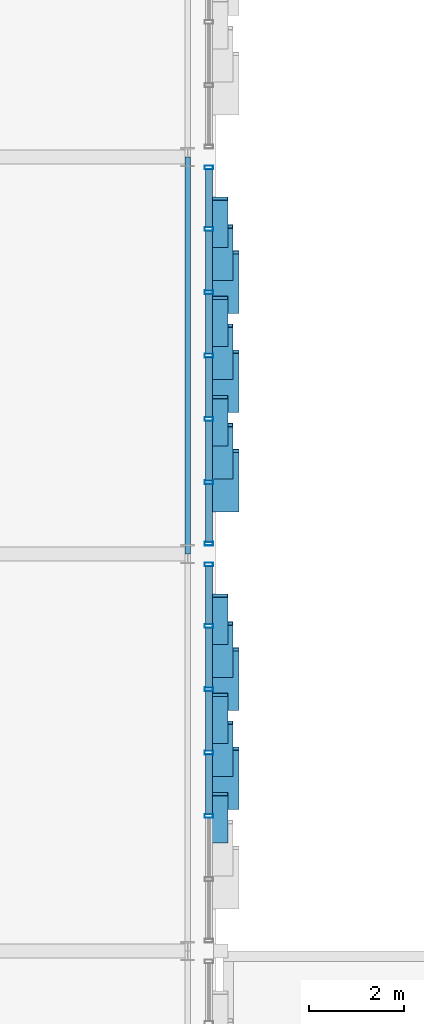
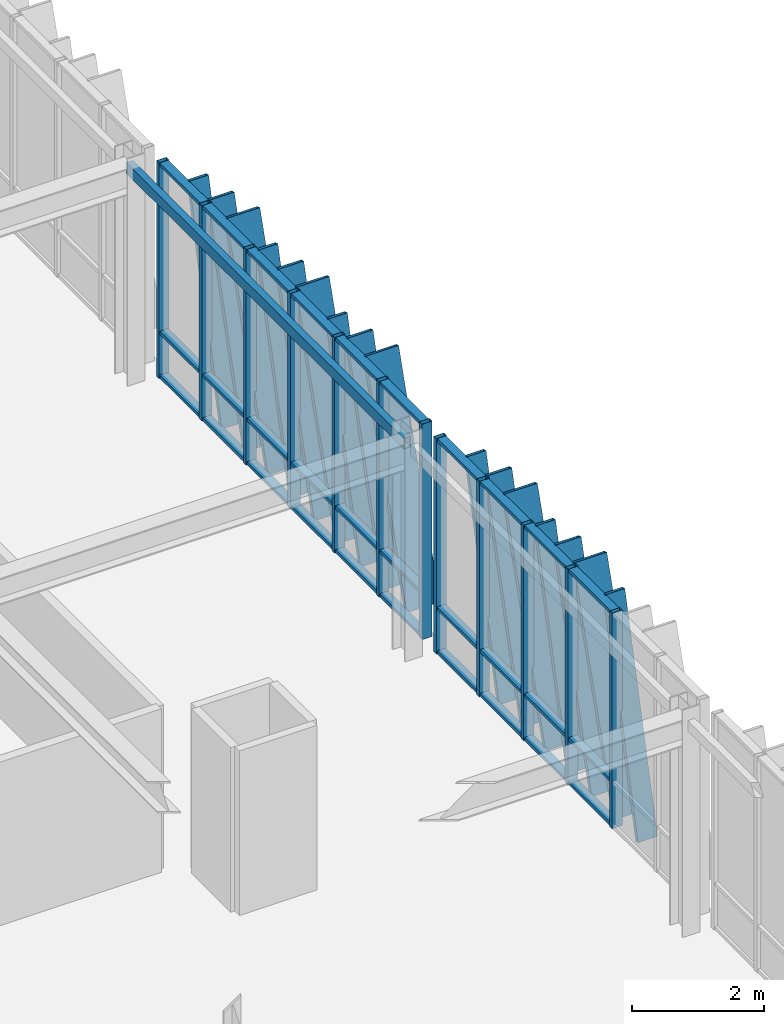
# One storey, part 55 of 123: 58 members, 1 beam, 2 elements without a shape of their own.
"""IFC4 building model written with IfcOpenShell, lengths in metres."""

import ifcopenshell
import ifcopenshell.guid

model = None  # the IFC model being written
_history = None  # IfcOwnerHistory: only IFC2X3 demands one
_inside = {}  # id of a spatial element -> (the spatial element, [elements in it])
_under = {}  # id of a project, library or spatial element -> (it, [spatial elements below it])
_declared = {}  # id of a project -> (the project, [libraries it declares])
_typed = {}  # id of a type object -> (the type object, [elements of that type])
_made_of = {}  # id of a material, layer set ... -> (it, [elements and type objects made of it])


def new_model(schema):
    """Start an empty IFC model of exactly this schema.

    Asked for "IFC4X3", IfcOpenShell would pick the latest addendum, in which some entities
    have other attributes; the version numbers below select the first issue.
    IFC2X3 requires an IfcOwnerHistory on every rooted entity: one is made here for all.
    """
    global model, _history
    if schema == "IFC4X3":
        model = ifcopenshell.file(schema_version=(4, 3, 0, 0))
    else:
        model = ifcopenshell.file(schema=schema)
    _inside.clear()
    _under.clear()
    _declared.clear()
    _typed.clear()
    _made_of.clear()
    _history = None
    if model.schema == "IFC2X3":
        org = make("IfcOrganization", Name="unknown")
        user = make(
            "IfcPersonAndOrganization",
            ThePerson=make("IfcPerson", FamilyName="unknown"),
            TheOrganization=org,
        )
        app = make(
            "IfcApplication",
            ApplicationDeveloper=org,
            Version="unknown",
            ApplicationFullName="unknown",
            ApplicationIdentifier="unknown",
        )
        _history = make(
            "IfcOwnerHistory",
            OwningUser=user,
            OwningApplication=app,
            ChangeAction="ADDED",
            CreationDate=0,
        )
    return model


def make(cls, **values):
    """One entity of the class cls with the attributes given. An attribute that is None is left unset."""
    return model.create_entity(
        cls, **{name: value for name, value in values.items() if value is not None}
    )


def rooted(cls, **values):
    """An entity with a GlobalId (a new one), such as an element, a storey or a relation."""
    return make(cls, GlobalId=ifcopenshell.guid.new(), OwnerHistory=_history, **values)


def si_unit(unit_type, name, prefix=None):
    """IfcSIUnit, for example si_unit("LENGTHUNIT", "METRE", prefix="MILLI")."""
    return make("IfcSIUnit", UnitType=unit_type, Prefix=prefix, Name=name)


def assignment(units):
    """IfcUnitAssignment: the units of a project."""
    return None if units is None else make("IfcUnitAssignment", Units=units)


def point(xyz):
    """IfcCartesianPoint."""
    return None if xyz is None else make("IfcCartesianPoint", Coordinates=xyz)


def direction(xyz):
    """IfcDirection."""
    return None if xyz is None else make("IfcDirection", DirectionRatios=xyz)


def frame(location, z_axis=None, x_axis=None):
    """IfcAxis2Placement3D, a coordinate frame: its origin and axes. An axis left out is left unset."""
    return make(
        "IfcAxis2Placement3D",
        Location=point(location),
        Axis=direction(z_axis),
        RefDirection=direction(x_axis),
    )


def frame_2d(location, x_axis=None):
    """IfcAxis2Placement2D, a coordinate frame in the plane: its origin and x axis."""
    return make(
        "IfcAxis2Placement2D", Location=point(location), RefDirection=direction(x_axis)
    )


def origin():
    """The frame at (0, 0, 0) with its axes left unset."""
    return frame((0.0, 0.0, 0.0))


def origin_2d():
    """The frame at (0, 0) in the plane with its x axis left unset."""
    return frame_2d((0.0, 0.0))


def place(relative_to, where):
    """IfcLocalPlacement: puts the frame where relative to a parent placement (None: the world)."""
    return make(
        "IfcLocalPlacement", PlacementRelTo=relative_to, RelativePlacement=where
    )


def context(
    kind, dimensions, precision=None, world=None, true_north=None, identifier=None
):
    """IfcGeometricRepresentationContext, for example the 3D "Model" context."""
    return make(
        "IfcGeometricRepresentationContext",
        ContextIdentifier=identifier,
        ContextType=kind,
        CoordinateSpaceDimension=dimensions,
        Precision=precision,
        WorldCoordinateSystem=world,
        TrueNorth=true_north,
    )


def subcontext(parent, identifier, kind, view, scale=None):
    """IfcGeometricRepresentationSubContext, for example "Body" below "Model"."""
    return make(
        "IfcGeometricRepresentationSubContext",
        ContextIdentifier=identifier,
        ContextType=kind,
        ParentContext=parent,
        TargetScale=scale,
        TargetView=view,
    )


def project(units=None, contexts=None):
    """IfcProject with its units and contexts."""
    return rooted(
        "IfcProject",
        Name="project",
        RepresentationContexts=contexts,
        UnitsInContext=assignment(units),
    )


def spatial(cls, under=None, at=None, **own):
    """A site, building, storey or space (cls), placed at a placement, below another one or the project."""
    s = rooted(cls, ObjectPlacement=at, **own)
    if under is not None:
        _under.setdefault(under.id(), (under, []))[1].append(s)
    return s


def profile(cls, at=None, kind="AREA", **sizes):
    """A parametric profile (cls). Its sizes go by their IFC names, for example OverallWidth=200.0."""
    return make(cls, ProfileType=kind, Position=at, **sizes)


def hollow_rectangle(**sizes):
    """IfcRectangleHollowProfileDef."""
    return profile("IfcRectangleHollowProfileDef", **sizes)


def extrude(swept, where, along, depth):
    """IfcExtrudedAreaSolid: the profile swept, set in the frame where, extruded along a direction by depth."""
    return make(
        "IfcExtrudedAreaSolid",
        SweptArea=swept,
        Position=where,
        ExtrudedDirection=direction(along),
        Depth=depth,
    )


def shape(context_of_items, identifier, shape_type, items):
    """IfcShapeRepresentation: the items that make up one representation, for example the "Body"."""
    return make(
        "IfcShapeRepresentation",
        ContextOfItems=context_of_items,
        RepresentationIdentifier=identifier,
        RepresentationType=shape_type,
        Items=items,
    )


def material(Name=None, Category=None):
    """IfcMaterial."""
    return make("IfcMaterial", Name=Name, Category=Category)


def layer(
    of_material, thickness, ventilated=None, Name=None, Category=None, Priority=None
):
    """IfcMaterialLayer: one layer of a wall or slab, of a material (None: an air gap)."""
    return make(
        "IfcMaterialLayer",
        Material=of_material,
        LayerThickness=thickness,
        IsVentilated=ventilated,
        Name=Name,
        Category=Category,
        Priority=Priority,
    )


def layer_set(layers, Name=None):
    """IfcMaterialLayerSet."""
    return make("IfcMaterialLayerSet", MaterialLayers=layers, LayerSetName=Name)


def material_profile(
    of_material, cross_section, Name=None, Category=None, Priority=None
):
    """IfcMaterialProfile: a cross section and its material."""
    return make(
        "IfcMaterialProfile",
        Name=Name,
        Material=of_material,
        Profile=cross_section,
        Priority=Priority,
        Category=Category,
    )


def profile_set(profiles, Name=None, composite=None):
    """IfcMaterialProfileSet."""
    return make(
        "IfcMaterialProfileSet",
        Name=Name,
        MaterialProfiles=profiles,
        CompositeProfile=composite,
    )


def made_of(thing, what):
    """Note that an element or type object is made of a material, layer set ...; save() writes the relation."""
    if what is not None:
        _made_of.setdefault(what.id(), (what, []))[1].append(thing)
    return thing


def type_object(cls, material=None, **own):
    """A type object (cls), such as IfcWallType, which elements share."""
    return made_of(rooted(cls, **own), material)


def element(
    cls,
    number,
    at=None,
    inside=None,
    cuts=None,
    type_object=None,
    material=None,
    context=None,
    identifier="Body",
    shape_type=None,
    held_by="IfcProductDefinitionShape",
    body=None,
    shapes=None,
    **own,
):
    """One element of the class cls, such as IfcWall. Its Tag is "e" and its number.

    at: its placement. inside: the storey or other place that contains it. cuts: it is an
    opening in that element (IfcRelVoidsElement). A single representation is given by context,
    identifier, shape_type and body (its items); several are given by shapes. held_by: the class
    of the entity that holds the representations. save() writes the other relations.
    """
    e = rooted(cls, Tag="e%d" % number, ObjectPlacement=at, **own)
    if body is not None:
        shapes = [shape(context, identifier, shape_type, body)]
    if shapes is not None:
        e.Representation = make(held_by, Representations=shapes)
    if inside is not None:
        _inside.setdefault(inside.id(), (inside, []))[1].append(e)
    if cuts is not None:
        rooted(
            "IfcRelVoidsElement", RelatingBuildingElement=cuts, RelatedOpeningElement=e
        )
    if type_object is not None:
        _typed.setdefault(type_object.id(), (type_object, []))[1].append(e)
    return made_of(e, material)


def aggregate(whole, parts):
    """IfcRelAggregates: a whole, such as a stair, and the parts it consists of."""
    return rooted("IfcRelAggregates", RelatingObject=whole, RelatedObjects=parts)


def save(model, path):
    """Write the relations noted so far, then the file.

    IfcRelAggregates (storeys below a building ...), IfcRelContainedInSpatialStructure (elements
    in a storey), IfcRelDefinesByType, IfcRelAssociatesMaterial and IfcRelDeclares: one each for
    every whole, place, type object, material and project.
    """
    for whole, parts in _under.values():
        aggregate(whole, parts)
    for where, things in _inside.values():
        rooted(
            "IfcRelContainedInSpatialStructure",
            RelatedElements=things,
            RelatingStructure=where,
        )
    for kind, things in _typed.values():
        rooted("IfcRelDefinesByType", RelatedObjects=things, RelatingType=kind)
    for what, things in _made_of.values():
        rooted("IfcRelAssociatesMaterial", RelatedObjects=things, RelatingMaterial=what)
    for by, libraries in _declared.values():
        rooted("IfcRelDeclares", RelatingContext=by, RelatedDefinitions=libraries)
    model.write(path)


model = new_model("IFC4")

# Units and contexts
model_context = context("Model", 3, precision=1e-05, world=origin(), true_north=direction((0.0, 1.0)))
body_context = subcontext(model_context, "Body", "Model", "MODEL_VIEW")
ifc_project = project(units=[si_unit("LENGTHUNIT", "METRE"), si_unit("AREAUNIT", "SQUARE_METRE"), si_unit("VOLUMEUNIT", "CUBIC_METRE"), si_unit("PLANEANGLEUNIT", "RADIAN"), si_unit("MASSUNIT", "GRAM", prefix="KILO")], contexts=[model_context])

# Site, building, storey
site_placement = place(None, origin())
site = spatial("IfcSite", under=ifc_project, at=site_placement, CompositionType="ELEMENT")
building_placement = place(site_placement, origin())
building = spatial("IfcBuilding", under=site, at=building_placement, Name="Zayran Congress Hotel", CompositionType="ELEMENT")
storey_placement = place(building_placement, frame((0.0, 0.0, 15.0)))
storey = spatial("IfcBuildingStorey", under=building, at=storey_placement, Name="L03", CompositionType="ELEMENT", Elevation=15.0)

# Beam
ifc_material_1 = material(Name="Steel S355", Category="steel")
ifc_material_profile_1 = material_profile(ifc_material_1, hollow_rectangle(XDim=0.1201171875, YDim=0.199951171875, WallThickness=0.008056640625, at=origin_2d()), Name="RHS 200x120x8")
ifc_profile_set_1 = profile_set([ifc_material_profile_1], Name="Steel S355")
beam_type = type_object("IfcBeamType", Name="TP-SP-02", PredefinedType="SPANDREL", material=ifc_profile_set_1)
beam_placement = place(storey_placement, frame((91.800048828125, 92.800048828125, 3.8798828125), z_axis=(0.0, 1.0, 0.0), x_axis=(-1.0, 0.0, 0.0)))
element("IfcBeam", 1, at=beam_placement, inside=storey, type_object=beam_type, Name="BM-V1-L03-0893", PredefinedType="SPANDREL", context=body_context, shape_type="SweptSolid", body=[
    extrude(hollow_rectangle(XDim=0.1201171875, YDim=0.199951171875, WallThickness=0.008056640625, at=origin_2d()), origin(), (0.0, 0.0, 1.0), 8.39990234375),
])

# Curtain wall, members
ifc_material_2 = material(Name="Anodised aluminium and low-E insulated glass", Category="aluminium")
ifc_layer_1 = layer(ifc_material_2, 0.179931640625)
ifc_layer_set_1 = layer_set([ifc_layer_1], Name="Anodised aluminium and low-E insulated glass")
curtain_wall_type_1 = type_object("IfcCurtainWallType", Name="CW-V1E-L03-CW-41-8040-3980", PredefinedType="USERDEFINED", material=ifc_layer_set_1)
curtain_wall_1_placement = place(storey_placement, origin())
curtain_wall_1 = element("IfcCurtainWall", 2, at=curtain_wall_1_placement, inside=storey, type_object=curtain_wall_type_1, Name="CW-V1E-L03-2", ObjectType="CURTAIN WALL", PredefinedType="USERDEFINED")
ifc_material_3 = material(Name="Anodised aluminium framing", Category="aluminium")
ifc_material_profile_2 = material_profile(ifc_material_3, hollow_rectangle(XDim=0.080078125, YDim=0.179931640625, WallThickness=0.0048828125, at=origin_2d()), Name="RHS 180x80x5")
ifc_profile_set_2 = profile_set([ifc_material_profile_2], Name="Anodised aluminium framing")
member_type_1 = type_object("IfcMemberType", Name="TP-CWM-01", PredefinedType="MULLION", material=ifc_profile_set_2)
member_1_placement = place(storey_placement, frame((92.25, 87.260009765625, 0.0), z_axis=(0.0, 0.0, 1.0), x_axis=(0.0, 1.0, 0.0)))
member_1 = element("IfcMember", 3, at=member_1_placement, type_object=member_type_1, Name="CW-V1E-L03-2-M02", PredefinedType="MULLION", context=body_context, shape_type="SweptSolid", body=[
    extrude(hollow_rectangle(XDim=0.080078125, YDim=0.179931640625, WallThickness=0.0048828125, at=origin_2d()), origin(), (0.0, 0.0, 1.0), 3.97998046875),
])
member_2_placement = place(storey_placement, frame((92.25, 88.60009765625, 0.0), z_axis=(0.0, 0.0, 1.0), x_axis=(0.0, 1.0, 0.0)))
member_2 = element("IfcMember", 4, at=member_2_placement, type_object=member_type_1, Name="CW-V1E-L03-2-M03", PredefinedType="MULLION", context=body_context, shape_type="SweptSolid", body=[
    extrude(hollow_rectangle(XDim=0.080078125, YDim=0.179931640625, WallThickness=0.0048828125, at=origin_2d()), origin(), (0.0, 0.0, 1.0), 3.97998046875),
])
member_3_placement = place(storey_placement, frame((92.25, 89.93994140625, 0.0), z_axis=(0.0, 0.0, 1.0), x_axis=(0.0, 1.0, 0.0)))
member_3 = element("IfcMember", 5, at=member_3_placement, type_object=member_type_1, Name="CW-V1E-L03-2-M04", PredefinedType="MULLION", context=body_context, shape_type="SweptSolid", body=[
    extrude(hollow_rectangle(XDim=0.080078125, YDim=0.179931640625, WallThickness=0.0048828125, at=origin_2d()), origin(), (0.0, 0.0, 1.0), 3.97998046875),
])
member_4_placement = place(storey_placement, frame((92.25, 91.280029296875, 0.0), z_axis=(0.0, 0.0, 1.0), x_axis=(0.0, 1.0, 0.0)))
member_4 = element("IfcMember", 6, at=member_4_placement, type_object=member_type_1, Name="CW-V1E-L03-2-M05", PredefinedType="MULLION", context=body_context, shape_type="SweptSolid", body=[
    extrude(hollow_rectangle(XDim=0.080078125, YDim=0.179931640625, WallThickness=0.0048828125, at=origin_2d()), origin(), (0.0, 0.0, 1.0), 3.97998046875),
])
member_5_placement = place(storey_placement, frame((92.25, 92.580078125, 0.0), z_axis=(0.0, 0.0, 1.0), x_axis=(0.0, 1.0, 0.0)))
member_5 = element("IfcMember", 7, at=member_5_placement, type_object=member_type_1, Name="CW-V1E-L03-2-M06", PredefinedType="MULLION", context=body_context, shape_type="SweptSolid", body=[
    extrude(hollow_rectangle(XDim=0.080078125, YDim=0.179931640625, WallThickness=0.0048828125, at=origin_2d()), origin(), (0.0, 0.0, 1.0), 3.97998046875),
])

ifc_layer_2 = layer(ifc_material_2, 0.179931640625)
ifc_layer_set_2 = layer_set([ifc_layer_2], Name="Anodised aluminium and low-E insulated glass")
curtain_wall_type_2 = type_object("IfcCurtainWallType", Name="CW-V1E-L03-CW-42-8040-3980", PredefinedType="USERDEFINED", material=ifc_layer_set_2)
curtain_wall_2_placement = place(storey_placement, origin())
curtain_wall_2 = element("IfcCurtainWall", 8, at=curtain_wall_2_placement, inside=storey, type_object=curtain_wall_type_2, Name="CW-V1E-L03-3", ObjectType="CURTAIN WALL", PredefinedType="USERDEFINED")
member_6_placement = place(storey_placement, frame((92.25, 93.02001953125, 0.0), z_axis=(0.0, 0.0, 1.0), x_axis=(0.0, 1.0, 0.0)))
member_6 = element("IfcMember", 9, at=member_6_placement, type_object=member_type_1, Name="CW-V1E-L03-3-M00", PredefinedType="MULLION", context=body_context, shape_type="SweptSolid", body=[
    extrude(hollow_rectangle(XDim=0.080078125, YDim=0.179931640625, WallThickness=0.0048828125, at=origin_2d()), origin(), (0.0, 0.0, 1.0), 3.97998046875),
])
member_7_placement = place(storey_placement, frame((92.25, 94.320068359375, 0.0), z_axis=(0.0, 0.0, 1.0), x_axis=(0.0, 1.0, 0.0)))
member_7 = element("IfcMember", 10, at=member_7_placement, type_object=member_type_1, Name="CW-V1E-L03-3-M01", PredefinedType="MULLION", context=body_context, shape_type="SweptSolid", body=[
    extrude(hollow_rectangle(XDim=0.080078125, YDim=0.179931640625, WallThickness=0.0048828125, at=origin_2d()), origin(), (0.0, 0.0, 1.0), 3.97998046875),
])
member_8_placement = place(storey_placement, frame((92.25, 95.659912109375, 0.0), z_axis=(0.0, 0.0, 1.0), x_axis=(0.0, 1.0, 0.0)))
member_8 = element("IfcMember", 11, at=member_8_placement, type_object=member_type_1, Name="CW-V1E-L03-3-M02", PredefinedType="MULLION", context=body_context, shape_type="SweptSolid", body=[
    extrude(hollow_rectangle(XDim=0.080078125, YDim=0.179931640625, WallThickness=0.0048828125, at=origin_2d()), origin(), (0.0, 0.0, 1.0), 3.97998046875),
])
member_9_placement = place(storey_placement, frame((92.25, 97.0, 0.0), z_axis=(0.0, 0.0, 1.0), x_axis=(0.0, 1.0, 0.0)))
member_9 = element("IfcMember", 12, at=member_9_placement, type_object=member_type_1, Name="CW-V1E-L03-3-M03", PredefinedType="MULLION", context=body_context, shape_type="SweptSolid", body=[
    extrude(hollow_rectangle(XDim=0.080078125, YDim=0.179931640625, WallThickness=0.0048828125, at=origin_2d()), origin(), (0.0, 0.0, 1.0), 3.97998046875),
])
member_10_placement = place(storey_placement, frame((92.25, 98.340087890625, 0.0), z_axis=(0.0, 0.0, 1.0), x_axis=(0.0, 1.0, 0.0)))
member_10 = element("IfcMember", 13, at=member_10_placement, type_object=member_type_1, Name="CW-V1E-L03-3-M04", PredefinedType="MULLION", context=body_context, shape_type="SweptSolid", body=[
    extrude(hollow_rectangle(XDim=0.080078125, YDim=0.179931640625, WallThickness=0.0048828125, at=origin_2d()), origin(), (0.0, 0.0, 1.0), 3.97998046875),
])
member_11_placement = place(storey_placement, frame((92.25, 99.679931640625, 0.0), z_axis=(0.0, 0.0, 1.0), x_axis=(0.0, 1.0, 0.0)))
member_11 = element("IfcMember", 14, at=member_11_placement, type_object=member_type_1, Name="CW-V1E-L03-3-M05", PredefinedType="MULLION", context=body_context, shape_type="SweptSolid", body=[
    extrude(hollow_rectangle(XDim=0.080078125, YDim=0.179931640625, WallThickness=0.0048828125, at=origin_2d()), origin(), (0.0, 0.0, 1.0), 3.97998046875),
])
member_12_placement = place(storey_placement, frame((92.25, 100.97998046875, 0.0), z_axis=(0.0, 0.0, 1.0), x_axis=(0.0, 1.0, 0.0)))
member_12 = element("IfcMember", 15, at=member_12_placement, type_object=member_type_1, Name="CW-V1E-L03-3-M06", PredefinedType="MULLION", context=body_context, shape_type="SweptSolid", body=[
    extrude(hollow_rectangle(XDim=0.080078125, YDim=0.179931640625, WallThickness=0.0048828125, at=origin_2d()), origin(), (0.0, 0.0, 1.0), 3.97998046875),
])

# Member
ifc_material_profile_3 = material_profile(ifc_material_3, hollow_rectangle(XDim=0.06005859375, YDim=0.14990234375, WallThickness=0.00390625, at=origin_2d()), Name="RHS 150x60x4")
ifc_profile_set_3 = profile_set([ifc_material_profile_3], Name="Anodised aluminium framing")
member_type_2 = type_object("IfcMemberType", Name="TP-CWT-01", PredefinedType="USERDEFINED", material=ifc_profile_set_3)
member_13_placement = place(storey_placement, frame((92.25, 87.300048828125, 0.030029296875), z_axis=(0.0, 1.0, 0.0), x_axis=(0.0, 0.0, 1.0)))
member_13 = element("IfcMember", 16, at=member_13_placement, type_object=member_type_2, Name="CW-V1E-L03-2-T02-0", ObjectType="TRANSOM", PredefinedType="USERDEFINED", context=body_context, shape_type="SweptSolid", body=[
    extrude(hollow_rectangle(XDim=0.06005859375, YDim=0.14990234375, WallThickness=0.00390625, at=origin_2d()), origin(), (0.0, 0.0, 1.0), 1.260009765625),
])

member_14_placement = place(storey_placement, frame((92.25, 87.300048828125, 0.840087890625), z_axis=(0.0, 1.0, 0.0), x_axis=(0.0, 0.0, 1.0)))
member_14 = element("IfcMember", 17, at=member_14_placement, type_object=member_type_2, Name="CW-V1E-L03-2-T02-1", ObjectType="TRANSOM", PredefinedType="USERDEFINED", context=body_context, shape_type="SweptSolid", body=[
    extrude(hollow_rectangle(XDim=0.06005859375, YDim=0.14990234375, WallThickness=0.00390625, at=origin_2d()), origin(), (0.0, 0.0, 1.0), 1.260009765625),
])

member_15_placement = place(storey_placement, frame((92.25, 87.300048828125, 3.949951171875), z_axis=(0.0, 1.0, 0.0), x_axis=(0.0, 0.0, 1.0)))
member_15 = element("IfcMember", 18, at=member_15_placement, type_object=member_type_2, Name="CW-V1E-L03-2-T02-2", ObjectType="TRANSOM", PredefinedType="USERDEFINED", context=body_context, shape_type="SweptSolid", body=[
    extrude(hollow_rectangle(XDim=0.06005859375, YDim=0.14990234375, WallThickness=0.00390625, at=origin_2d()), origin(), (0.0, 0.0, 1.0), 1.260009765625),
])

member_16_placement = place(storey_placement, frame((92.25, 88.639892578125, 0.030029296875), z_axis=(0.0, 1.0, 0.0), x_axis=(0.0, 0.0, 1.0)))
member_16 = element("IfcMember", 19, at=member_16_placement, type_object=member_type_2, Name="CW-V1E-L03-2-T03-0", ObjectType="TRANSOM", PredefinedType="USERDEFINED", context=body_context, shape_type="SweptSolid", body=[
    extrude(hollow_rectangle(XDim=0.06005859375, YDim=0.14990234375, WallThickness=0.00390625, at=origin_2d()), origin(), (0.0, 0.0, 1.0), 1.260009765625),
])

member_17_placement = place(storey_placement, frame((92.25, 88.639892578125, 0.840087890625), z_axis=(0.0, 1.0, 0.0), x_axis=(0.0, 0.0, 1.0)))
member_17 = element("IfcMember", 20, at=member_17_placement, type_object=member_type_2, Name="CW-V1E-L03-2-T03-1", ObjectType="TRANSOM", PredefinedType="USERDEFINED", context=body_context, shape_type="SweptSolid", body=[
    extrude(hollow_rectangle(XDim=0.06005859375, YDim=0.14990234375, WallThickness=0.00390625, at=origin_2d()), origin(), (0.0, 0.0, 1.0), 1.260009765625),
])

member_18_placement = place(storey_placement, frame((92.25, 88.639892578125, 3.949951171875), z_axis=(0.0, 1.0, 0.0), x_axis=(0.0, 0.0, 1.0)))
member_18 = element("IfcMember", 21, at=member_18_placement, type_object=member_type_2, Name="CW-V1E-L03-2-T03-2", ObjectType="TRANSOM", PredefinedType="USERDEFINED", context=body_context, shape_type="SweptSolid", body=[
    extrude(hollow_rectangle(XDim=0.06005859375, YDim=0.14990234375, WallThickness=0.00390625, at=origin_2d()), origin(), (0.0, 0.0, 1.0), 1.260009765625),
])

member_19_placement = place(storey_placement, frame((92.25, 89.97998046875, 0.030029296875), z_axis=(0.0, 1.0, 0.0), x_axis=(0.0, 0.0, 1.0)))
member_19 = element("IfcMember", 22, at=member_19_placement, type_object=member_type_2, Name="CW-V1E-L03-2-T04-0", ObjectType="TRANSOM", PredefinedType="USERDEFINED", context=body_context, shape_type="SweptSolid", body=[
    extrude(hollow_rectangle(XDim=0.06005859375, YDim=0.14990234375, WallThickness=0.00390625, at=origin_2d()), origin(), (0.0, 0.0, 1.0), 1.260009765625),
])

member_20_placement = place(storey_placement, frame((92.25, 89.97998046875, 0.840087890625), z_axis=(0.0, 1.0, 0.0), x_axis=(0.0, 0.0, 1.0)))
member_20 = element("IfcMember", 23, at=member_20_placement, type_object=member_type_2, Name="CW-V1E-L03-2-T04-1", ObjectType="TRANSOM", PredefinedType="USERDEFINED", context=body_context, shape_type="SweptSolid", body=[
    extrude(hollow_rectangle(XDim=0.06005859375, YDim=0.14990234375, WallThickness=0.00390625, at=origin_2d()), origin(), (0.0, 0.0, 1.0), 1.260009765625),
])

member_21_placement = place(storey_placement, frame((92.25, 89.97998046875, 3.949951171875), z_axis=(0.0, 1.0, 0.0), x_axis=(0.0, 0.0, 1.0)))
member_21 = element("IfcMember", 24, at=member_21_placement, type_object=member_type_2, Name="CW-V1E-L03-2-T04-2", ObjectType="TRANSOM", PredefinedType="USERDEFINED", context=body_context, shape_type="SweptSolid", body=[
    extrude(hollow_rectangle(XDim=0.06005859375, YDim=0.14990234375, WallThickness=0.00390625, at=origin_2d()), origin(), (0.0, 0.0, 1.0), 1.260009765625),
])

member_22_placement = place(storey_placement, frame((92.25, 91.320068359375, 0.030029296875), z_axis=(0.0, 1.0, 0.0), x_axis=(0.0, 0.0, 1.0)))
member_22 = element("IfcMember", 25, at=member_22_placement, type_object=member_type_2, Name="CW-V1E-L03-2-T05-0", ObjectType="TRANSOM", PredefinedType="USERDEFINED", context=body_context, shape_type="SweptSolid", body=[
    extrude(hollow_rectangle(XDim=0.06005859375, YDim=0.14990234375, WallThickness=0.00390625, at=origin_2d()), origin(), (0.0, 0.0, 1.0), 1.219970703125),
])

member_23_placement = place(storey_placement, frame((92.25, 91.320068359375, 0.840087890625), z_axis=(0.0, 1.0, 0.0), x_axis=(0.0, 0.0, 1.0)))
member_23 = element("IfcMember", 26, at=member_23_placement, type_object=member_type_2, Name="CW-V1E-L03-2-T05-1", ObjectType="TRANSOM", PredefinedType="USERDEFINED", context=body_context, shape_type="SweptSolid", body=[
    extrude(hollow_rectangle(XDim=0.06005859375, YDim=0.14990234375, WallThickness=0.00390625, at=origin_2d()), origin(), (0.0, 0.0, 1.0), 1.219970703125),
])

member_24_placement = place(storey_placement, frame((92.25, 91.320068359375, 3.949951171875), z_axis=(0.0, 1.0, 0.0), x_axis=(0.0, 0.0, 1.0)))
member_24 = element("IfcMember", 27, at=member_24_placement, type_object=member_type_2, Name="CW-V1E-L03-2-T05-2", ObjectType="TRANSOM", PredefinedType="USERDEFINED", context=body_context, shape_type="SweptSolid", body=[
    extrude(hollow_rectangle(XDim=0.06005859375, YDim=0.14990234375, WallThickness=0.00390625, at=origin_2d()), origin(), (0.0, 0.0, 1.0), 1.219970703125),
])

member_25_placement = place(storey_placement, frame((92.25, 93.06005859375, 0.030029296875), z_axis=(0.0, 1.0, 0.0), x_axis=(0.0, 0.0, 1.0)))
member_25 = element("IfcMember", 28, at=member_25_placement, type_object=member_type_2, Name="CW-V1E-L03-3-T00-0", ObjectType="TRANSOM", PredefinedType="USERDEFINED", context=body_context, shape_type="SweptSolid", body=[
    extrude(hollow_rectangle(XDim=0.06005859375, YDim=0.14990234375, WallThickness=0.00390625, at=origin_2d()), origin(), (0.0, 0.0, 1.0), 1.219970703125),
])

member_26_placement = place(storey_placement, frame((92.25, 93.06005859375, 0.840087890625), z_axis=(0.0, 1.0, 0.0), x_axis=(0.0, 0.0, 1.0)))
member_26 = element("IfcMember", 29, at=member_26_placement, type_object=member_type_2, Name="CW-V1E-L03-3-T00-1", ObjectType="TRANSOM", PredefinedType="USERDEFINED", context=body_context, shape_type="SweptSolid", body=[
    extrude(hollow_rectangle(XDim=0.06005859375, YDim=0.14990234375, WallThickness=0.00390625, at=origin_2d()), origin(), (0.0, 0.0, 1.0), 1.219970703125),
])

member_27_placement = place(storey_placement, frame((92.25, 93.06005859375, 3.949951171875), z_axis=(0.0, 1.0, 0.0), x_axis=(0.0, 0.0, 1.0)))
member_27 = element("IfcMember", 30, at=member_27_placement, type_object=member_type_2, Name="CW-V1E-L03-3-T00-2", ObjectType="TRANSOM", PredefinedType="USERDEFINED", context=body_context, shape_type="SweptSolid", body=[
    extrude(hollow_rectangle(XDim=0.06005859375, YDim=0.14990234375, WallThickness=0.00390625, at=origin_2d()), origin(), (0.0, 0.0, 1.0), 1.219970703125),
])

member_28_placement = place(storey_placement, frame((92.25, 94.360107421875, 0.030029296875), z_axis=(0.0, 1.0, 0.0), x_axis=(0.0, 0.0, 1.0)))
member_28 = element("IfcMember", 31, at=member_28_placement, type_object=member_type_2, Name="CW-V1E-L03-3-T01-0", ObjectType="TRANSOM", PredefinedType="USERDEFINED", context=body_context, shape_type="SweptSolid", body=[
    extrude(hollow_rectangle(XDim=0.06005859375, YDim=0.14990234375, WallThickness=0.00390625, at=origin_2d()), origin(), (0.0, 0.0, 1.0), 1.260009765625),
])

member_29_placement = place(storey_placement, frame((92.25, 94.360107421875, 0.840087890625), z_axis=(0.0, 1.0, 0.0), x_axis=(0.0, 0.0, 1.0)))
member_29 = element("IfcMember", 32, at=member_29_placement, type_object=member_type_2, Name="CW-V1E-L03-3-T01-1", ObjectType="TRANSOM", PredefinedType="USERDEFINED", context=body_context, shape_type="SweptSolid", body=[
    extrude(hollow_rectangle(XDim=0.06005859375, YDim=0.14990234375, WallThickness=0.00390625, at=origin_2d()), origin(), (0.0, 0.0, 1.0), 1.260009765625),
])

member_30_placement = place(storey_placement, frame((92.25, 94.360107421875, 3.949951171875), z_axis=(0.0, 1.0, 0.0), x_axis=(0.0, 0.0, 1.0)))
member_30 = element("IfcMember", 33, at=member_30_placement, type_object=member_type_2, Name="CW-V1E-L03-3-T01-2", ObjectType="TRANSOM", PredefinedType="USERDEFINED", context=body_context, shape_type="SweptSolid", body=[
    extrude(hollow_rectangle(XDim=0.06005859375, YDim=0.14990234375, WallThickness=0.00390625, at=origin_2d()), origin(), (0.0, 0.0, 1.0), 1.260009765625),
])

member_31_placement = place(storey_placement, frame((92.25, 95.699951171875, 0.030029296875), z_axis=(0.0, 1.0, 0.0), x_axis=(0.0, 0.0, 1.0)))
member_31 = element("IfcMember", 34, at=member_31_placement, type_object=member_type_2, Name="CW-V1E-L03-3-T02-0", ObjectType="TRANSOM", PredefinedType="USERDEFINED", context=body_context, shape_type="SweptSolid", body=[
    extrude(hollow_rectangle(XDim=0.06005859375, YDim=0.14990234375, WallThickness=0.00390625, at=origin_2d()), origin(), (0.0, 0.0, 1.0), 1.260009765625),
])

member_32_placement = place(storey_placement, frame((92.25, 95.699951171875, 0.840087890625), z_axis=(0.0, 1.0, 0.0), x_axis=(0.0, 0.0, 1.0)))
member_32 = element("IfcMember", 35, at=member_32_placement, type_object=member_type_2, Name="CW-V1E-L03-3-T02-1", ObjectType="TRANSOM", PredefinedType="USERDEFINED", context=body_context, shape_type="SweptSolid", body=[
    extrude(hollow_rectangle(XDim=0.06005859375, YDim=0.14990234375, WallThickness=0.00390625, at=origin_2d()), origin(), (0.0, 0.0, 1.0), 1.260009765625),
])

member_33_placement = place(storey_placement, frame((92.25, 95.699951171875, 3.949951171875), z_axis=(0.0, 1.0, 0.0), x_axis=(0.0, 0.0, 1.0)))
member_33 = element("IfcMember", 36, at=member_33_placement, type_object=member_type_2, Name="CW-V1E-L03-3-T02-2", ObjectType="TRANSOM", PredefinedType="USERDEFINED", context=body_context, shape_type="SweptSolid", body=[
    extrude(hollow_rectangle(XDim=0.06005859375, YDim=0.14990234375, WallThickness=0.00390625, at=origin_2d()), origin(), (0.0, 0.0, 1.0), 1.260009765625),
])

member_34_placement = place(storey_placement, frame((92.25, 97.0400390625, 0.030029296875), z_axis=(0.0, 1.0, 0.0), x_axis=(0.0, 0.0, 1.0)))
member_34 = element("IfcMember", 37, at=member_34_placement, type_object=member_type_2, Name="CW-V1E-L03-3-T03-0", ObjectType="TRANSOM", PredefinedType="USERDEFINED", context=body_context, shape_type="SweptSolid", body=[
    extrude(hollow_rectangle(XDim=0.06005859375, YDim=0.14990234375, WallThickness=0.00390625, at=origin_2d()), origin(), (0.0, 0.0, 1.0), 1.260009765625),
])

member_35_placement = place(storey_placement, frame((92.25, 97.0400390625, 0.840087890625), z_axis=(0.0, 1.0, 0.0), x_axis=(0.0, 0.0, 1.0)))
member_35 = element("IfcMember", 38, at=member_35_placement, type_object=member_type_2, Name="CW-V1E-L03-3-T03-1", ObjectType="TRANSOM", PredefinedType="USERDEFINED", context=body_context, shape_type="SweptSolid", body=[
    extrude(hollow_rectangle(XDim=0.06005859375, YDim=0.14990234375, WallThickness=0.00390625, at=origin_2d()), origin(), (0.0, 0.0, 1.0), 1.260009765625),
])

member_36_placement = place(storey_placement, frame((92.25, 97.0400390625, 3.949951171875), z_axis=(0.0, 1.0, 0.0), x_axis=(0.0, 0.0, 1.0)))
member_36 = element("IfcMember", 39, at=member_36_placement, type_object=member_type_2, Name="CW-V1E-L03-3-T03-2", ObjectType="TRANSOM", PredefinedType="USERDEFINED", context=body_context, shape_type="SweptSolid", body=[
    extrude(hollow_rectangle(XDim=0.06005859375, YDim=0.14990234375, WallThickness=0.00390625, at=origin_2d()), origin(), (0.0, 0.0, 1.0), 1.260009765625),
])

member_37_placement = place(storey_placement, frame((92.25, 98.3798828125, 0.030029296875), z_axis=(0.0, 1.0, 0.0), x_axis=(0.0, 0.0, 1.0)))
member_37 = element("IfcMember", 40, at=member_37_placement, type_object=member_type_2, Name="CW-V1E-L03-3-T04-0", ObjectType="TRANSOM", PredefinedType="USERDEFINED", context=body_context, shape_type="SweptSolid", body=[
    extrude(hollow_rectangle(XDim=0.06005859375, YDim=0.14990234375, WallThickness=0.00390625, at=origin_2d()), origin(), (0.0, 0.0, 1.0), 1.260009765625),
])

member_38_placement = place(storey_placement, frame((92.25, 98.3798828125, 0.840087890625), z_axis=(0.0, 1.0, 0.0), x_axis=(0.0, 0.0, 1.0)))
member_38 = element("IfcMember", 41, at=member_38_placement, type_object=member_type_2, Name="CW-V1E-L03-3-T04-1", ObjectType="TRANSOM", PredefinedType="USERDEFINED", context=body_context, shape_type="SweptSolid", body=[
    extrude(hollow_rectangle(XDim=0.06005859375, YDim=0.14990234375, WallThickness=0.00390625, at=origin_2d()), origin(), (0.0, 0.0, 1.0), 1.260009765625),
])

member_39_placement = place(storey_placement, frame((92.25, 98.3798828125, 3.949951171875), z_axis=(0.0, 1.0, 0.0), x_axis=(0.0, 0.0, 1.0)))
member_39 = element("IfcMember", 42, at=member_39_placement, type_object=member_type_2, Name="CW-V1E-L03-3-T04-2", ObjectType="TRANSOM", PredefinedType="USERDEFINED", context=body_context, shape_type="SweptSolid", body=[
    extrude(hollow_rectangle(XDim=0.06005859375, YDim=0.14990234375, WallThickness=0.00390625, at=origin_2d()), origin(), (0.0, 0.0, 1.0), 1.260009765625),
])

member_40_placement = place(storey_placement, frame((92.25, 99.719970703125, 0.030029296875), z_axis=(0.0, 1.0, 0.0), x_axis=(0.0, 0.0, 1.0)))
member_40 = element("IfcMember", 43, at=member_40_placement, type_object=member_type_2, Name="CW-V1E-L03-3-T05-0", ObjectType="TRANSOM", PredefinedType="USERDEFINED", context=body_context, shape_type="SweptSolid", body=[
    extrude(hollow_rectangle(XDim=0.06005859375, YDim=0.14990234375, WallThickness=0.00390625, at=origin_2d()), origin(), (0.0, 0.0, 1.0), 1.219970703125),
])

member_41_placement = place(storey_placement, frame((92.25, 99.719970703125, 0.840087890625), z_axis=(0.0, 1.0, 0.0), x_axis=(0.0, 0.0, 1.0)))
member_41 = element("IfcMember", 44, at=member_41_placement, type_object=member_type_2, Name="CW-V1E-L03-3-T05-1", ObjectType="TRANSOM", PredefinedType="USERDEFINED", context=body_context, shape_type="SweptSolid", body=[
    extrude(hollow_rectangle(XDim=0.06005859375, YDim=0.14990234375, WallThickness=0.00390625, at=origin_2d()), origin(), (0.0, 0.0, 1.0), 1.219970703125),
])

member_42_placement = place(storey_placement, frame((92.25, 99.719970703125, 3.949951171875), z_axis=(0.0, 1.0, 0.0), x_axis=(0.0, 0.0, 1.0)))
member_42 = element("IfcMember", 45, at=member_42_placement, type_object=member_type_2, Name="CW-V1E-L03-3-T05-2", ObjectType="TRANSOM", PredefinedType="USERDEFINED", context=body_context, shape_type="SweptSolid", body=[
    extrude(hollow_rectangle(XDim=0.06005859375, YDim=0.14990234375, WallThickness=0.00390625, at=origin_2d()), origin(), (0.0, 0.0, 1.0), 1.219970703125),
])

ifc_material_4 = material(Name="Warm bronze anodised aluminium", Category="aluminium")
ifc_material_profile_4 = material_profile(ifc_material_4, hollow_rectangle(XDim=0.080078125, YDim=0.580078125, WallThickness=0.006103515625, at=origin_2d()), Name="RHS 580x80x6")
ifc_profile_set_4 = profile_set([ifc_material_profile_4], Name="Warm bronze anodised aluminium")
member_type_3 = type_object("IfcMemberType", Name="TP-RFN-01", PredefinedType="MULLION", material=ifc_profile_set_4)
member_43_placement = place(storey_placement, frame((92.60009765625, 87.429931640625, 0.0), z_axis=(0.0, 0.300705753938, 0.953716965115), x_axis=(0.0, -0.953716965115, 0.300705753938)))
member_43 = element("IfcMember", 46, at=member_43_placement, type_object=member_type_3, Name="Slanting Reed Mullion CW-41-04", PredefinedType="MULLION", context=body_context, shape_type="SweptSolid", body=[
    extrude(hollow_rectangle(XDim=0.080078125, YDim=0.580078125, WallThickness=0.006103515625, at=origin_2d()), origin(), (0.0, 0.0, 1.0), 4.173095703125),
])

member_44_placement = place(storey_placement, frame((92.60009765625, 89.530029296875, 0.0), z_axis=(0.0, 0.300705753938, 0.953716965115), x_axis=(0.0, -0.953716965115, 0.300705753938)))
member_44 = element("IfcMember", 47, at=member_44_placement, type_object=member_type_3, Name="Slanting Reed Mullion CW-41-07", PredefinedType="MULLION", context=body_context, shape_type="SweptSolid", body=[
    extrude(hollow_rectangle(XDim=0.080078125, YDim=0.580078125, WallThickness=0.006103515625, at=origin_2d()), origin(), (0.0, 0.0, 1.0), 4.173095703125),
])

member_45_placement = place(storey_placement, frame((92.60009765625, 93.72998046875, 0.0), z_axis=(0.0, 0.300705753938, 0.953716965115), x_axis=(0.0, -0.953716965115, 0.300705753938)))
member_45 = element("IfcMember", 48, at=member_45_placement, type_object=member_type_3, Name="Slanting Reed Mullion CW-42-01", PredefinedType="MULLION", context=body_context, shape_type="SweptSolid", body=[
    extrude(hollow_rectangle(XDim=0.080078125, YDim=0.580078125, WallThickness=0.006103515625, at=origin_2d()), origin(), (0.0, 0.0, 1.0), 4.173095703125),
])

member_46_placement = place(storey_placement, frame((92.60009765625, 95.830078125, 0.0), z_axis=(0.0, 0.300705753938, 0.953716965115), x_axis=(0.0, -0.953716965115, 0.300705753938)))
member_46 = element("IfcMember", 49, at=member_46_placement, type_object=member_type_3, Name="Slanting Reed Mullion CW-42-04", PredefinedType="MULLION", context=body_context, shape_type="SweptSolid", body=[
    extrude(hollow_rectangle(XDim=0.080078125, YDim=0.580078125, WallThickness=0.006103515625, at=origin_2d()), origin(), (0.0, 0.0, 1.0), 4.173095703125),
])

member_47_placement = place(storey_placement, frame((92.60009765625, 97.929931640625, 0.0), z_axis=(0.0, 0.300705753938, 0.953716965115), x_axis=(0.0, -0.953716965115, 0.300705753938)))
member_47 = element("IfcMember", 50, at=member_47_placement, type_object=member_type_3, Name="Slanting Reed Mullion CW-42-07", PredefinedType="MULLION", context=body_context, shape_type="SweptSolid", body=[
    extrude(hollow_rectangle(XDim=0.080078125, YDim=0.580078125, WallThickness=0.006103515625, at=origin_2d()), origin(), (0.0, 0.0, 1.0), 4.173095703125),
])

ifc_material_profile_5 = material_profile(ifc_material_4, hollow_rectangle(XDim=0.080078125, YDim=0.449951171875, WallThickness=0.006103515625, at=origin_2d()), Name="RHS 450x80x6")
ifc_profile_set_5 = profile_set([ifc_material_profile_5], Name="Warm bronze anodised aluminium")
member_type_4 = type_object("IfcMemberType", Name="TP-RFN-02", PredefinedType="MULLION", material=ifc_profile_set_5)
member_48_placement = place(storey_placement, frame((92.534912109375, 88.1298828125, 0.0), z_axis=(0.0, 0.267296298756, 0.963614387954), x_axis=(0.0, -0.963614387954, 0.267296298756)))
member_48 = element("IfcMember", 51, at=member_48_placement, type_object=member_type_4, Name="Slanting Reed Mullion CW-41-05", PredefinedType="MULLION", context=body_context, shape_type="SweptSolid", body=[
    extrude(hollow_rectangle(XDim=0.080078125, YDim=0.449951171875, WallThickness=0.006103515625, at=origin_2d()), origin(), (0.0, 0.0, 1.0), 4.13037109375),
])

member_49_placement = place(storey_placement, frame((92.534912109375, 90.22998046875, 0.0), z_axis=(0.0, 0.267241410526, 0.963629611677), x_axis=(0.0, -0.963629611677, 0.267241410526)))
member_49 = element("IfcMember", 52, at=member_49_placement, type_object=member_type_4, Name="Slanting Reed Mullion CW-41-08", PredefinedType="MULLION", context=body_context, shape_type="SweptSolid", body=[
    extrude(hollow_rectangle(XDim=0.080078125, YDim=0.449951171875, WallThickness=0.006103515625, at=origin_2d()), origin(), (0.0, 0.0, 1.0), 4.130126953125),
])

member_50_placement = place(storey_placement, frame((92.534912109375, 94.429931640625, 0.0), z_axis=(0.0, 0.267241410526, 0.963629611677), x_axis=(0.0, -0.963629611677, 0.267241410526)))
member_50 = element("IfcMember", 53, at=member_50_placement, type_object=member_type_4, Name="Slanting Reed Mullion CW-42-02", PredefinedType="MULLION", context=body_context, shape_type="SweptSolid", body=[
    extrude(hollow_rectangle(XDim=0.080078125, YDim=0.449951171875, WallThickness=0.006103515625, at=origin_2d()), origin(), (0.0, 0.0, 1.0), 4.130126953125),
])

member_51_placement = place(storey_placement, frame((92.534912109375, 96.530029296875, 0.0), z_axis=(0.0, 0.267241410526, 0.963629611677), x_axis=(0.0, -0.963629611677, 0.267241410526)))
member_51 = element("IfcMember", 54, at=member_51_placement, type_object=member_type_4, Name="Slanting Reed Mullion CW-42-05", PredefinedType="MULLION", context=body_context, shape_type="SweptSolid", body=[
    extrude(hollow_rectangle(XDim=0.080078125, YDim=0.449951171875, WallThickness=0.006103515625, at=origin_2d()), origin(), (0.0, 0.0, 1.0), 4.130126953125),
])

member_52_placement = place(storey_placement, frame((92.534912109375, 98.6298828125, 0.0), z_axis=(0.0, 0.267296298756, 0.963614387954), x_axis=(0.0, -0.963614387954, 0.267296298756)))
member_52 = element("IfcMember", 55, at=member_52_placement, type_object=member_type_4, Name="Slanting Reed Mullion CW-42-08", PredefinedType="MULLION", context=body_context, shape_type="SweptSolid", body=[
    extrude(hollow_rectangle(XDim=0.080078125, YDim=0.449951171875, WallThickness=0.006103515625, at=origin_2d()), origin(), (0.0, 0.0, 1.0), 4.13037109375),
])

ifc_material_profile_6 = material_profile(ifc_material_4, hollow_rectangle(XDim=0.080078125, YDim=0.340087890625, WallThickness=0.006103515625, at=origin_2d()), Name="RHS 340x80x6")
ifc_profile_set_6 = profile_set([ifc_material_profile_6], Name="Warm bronze anodised aluminium")
member_type_5 = type_object("IfcMemberType", Name="TP-RFN-03", PredefinedType="MULLION", material=ifc_profile_set_6)
member_53_placement = place(storey_placement, frame((92.47998046875, 86.72998046875, 0.0), z_axis=(0.0, 0.241947386249, 0.970289370388), x_axis=(0.0, -0.970289370388, 0.241947386249)))
member_53 = element("IfcMember", 56, at=member_53_placement, type_object=member_type_5, Name="Slanting Reed Mullion CW-41-03", PredefinedType="MULLION", context=body_context, shape_type="SweptSolid", body=[
    extrude(hollow_rectangle(XDim=0.080078125, YDim=0.340087890625, WallThickness=0.006103515625, at=origin_2d()), origin(), (0.0, 0.0, 1.0), 4.101806640625),
])

member_54_placement = place(storey_placement, frame((92.47998046875, 88.830078125, 0.0), z_axis=(0.0, 0.24189134958, 0.970303341743), x_axis=(0.0, -0.970303341743, 0.24189134958)))
member_54 = element("IfcMember", 57, at=member_54_placement, type_object=member_type_5, Name="Slanting Reed Mullion CW-41-06", PredefinedType="MULLION", context=body_context, shape_type="SweptSolid", body=[
    extrude(hollow_rectangle(XDim=0.080078125, YDim=0.340087890625, WallThickness=0.006103515625, at=origin_2d()), origin(), (0.0, 0.0, 1.0), 4.101806640625),
])

member_55_placement = place(storey_placement, frame((92.47998046875, 90.929931640625, 0.0), z_axis=(0.0, 0.241947386249, 0.970289370388), x_axis=(0.0, -0.970289370388, 0.241947386249)))
member_55 = element("IfcMember", 58, at=member_55_placement, type_object=member_type_5, Name="Slanting Reed Mullion CW-41-09", PredefinedType="MULLION", context=body_context, shape_type="SweptSolid", body=[
    extrude(hollow_rectangle(XDim=0.080078125, YDim=0.340087890625, WallThickness=0.006103515625, at=origin_2d()), origin(), (0.0, 0.0, 1.0), 4.101806640625),
])

aggregate(curtain_wall_1, [member_1, member_2, member_3, member_4, member_5, member_13, member_14, member_15, member_16, member_17, member_18, member_19, member_20, member_21, member_22, member_23, member_24, member_53, member_43, member_48, member_54, member_44, member_49, member_55])

member_56_placement = place(storey_placement, frame((92.47998046875, 95.1298828125, 0.0), z_axis=(0.0, 0.241947386249, 0.970289370388), x_axis=(0.0, -0.970289370388, 0.241947386249)))
member_56 = element("IfcMember", 59, at=member_56_placement, type_object=member_type_5, Name="Slanting Reed Mullion CW-42-03", PredefinedType="MULLION", context=body_context, shape_type="SweptSolid", body=[
    extrude(hollow_rectangle(XDim=0.080078125, YDim=0.340087890625, WallThickness=0.006103515625, at=origin_2d()), origin(), (0.0, 0.0, 1.0), 4.101806640625),
])

member_57_placement = place(storey_placement, frame((92.47998046875, 97.22998046875, 0.0), z_axis=(0.0, 0.241947386249, 0.970289370388), x_axis=(0.0, -0.970289370388, 0.241947386249)))
member_57 = element("IfcMember", 60, at=member_57_placement, type_object=member_type_5, Name="Slanting Reed Mullion CW-42-06", PredefinedType="MULLION", context=body_context, shape_type="SweptSolid", body=[
    extrude(hollow_rectangle(XDim=0.080078125, YDim=0.340087890625, WallThickness=0.006103515625, at=origin_2d()), origin(), (0.0, 0.0, 1.0), 4.101806640625),
])

member_58_placement = place(storey_placement, frame((92.47998046875, 99.330078125, 0.0), z_axis=(0.0, 0.24189134958, 0.970303341743), x_axis=(0.0, -0.970303341743, 0.24189134958)))
member_58 = element("IfcMember", 61, at=member_58_placement, type_object=member_type_5, Name="Slanting Reed Mullion CW-42-09", PredefinedType="MULLION", context=body_context, shape_type="SweptSolid", body=[
    extrude(hollow_rectangle(XDim=0.080078125, YDim=0.340087890625, WallThickness=0.006103515625, at=origin_2d()), origin(), (0.0, 0.0, 1.0), 4.101806640625),
])

aggregate(curtain_wall_2, [member_6, member_7, member_8, member_9, member_10, member_11, member_12, member_25, member_26, member_27, member_28, member_29, member_30, member_31, member_32, member_33, member_34, member_35, member_36, member_37, member_38, member_39, member_40, member_41, member_42, member_45, member_50, member_56, member_46, member_51, member_57, member_47, member_52, member_58])

save(model, "model.ifc")
